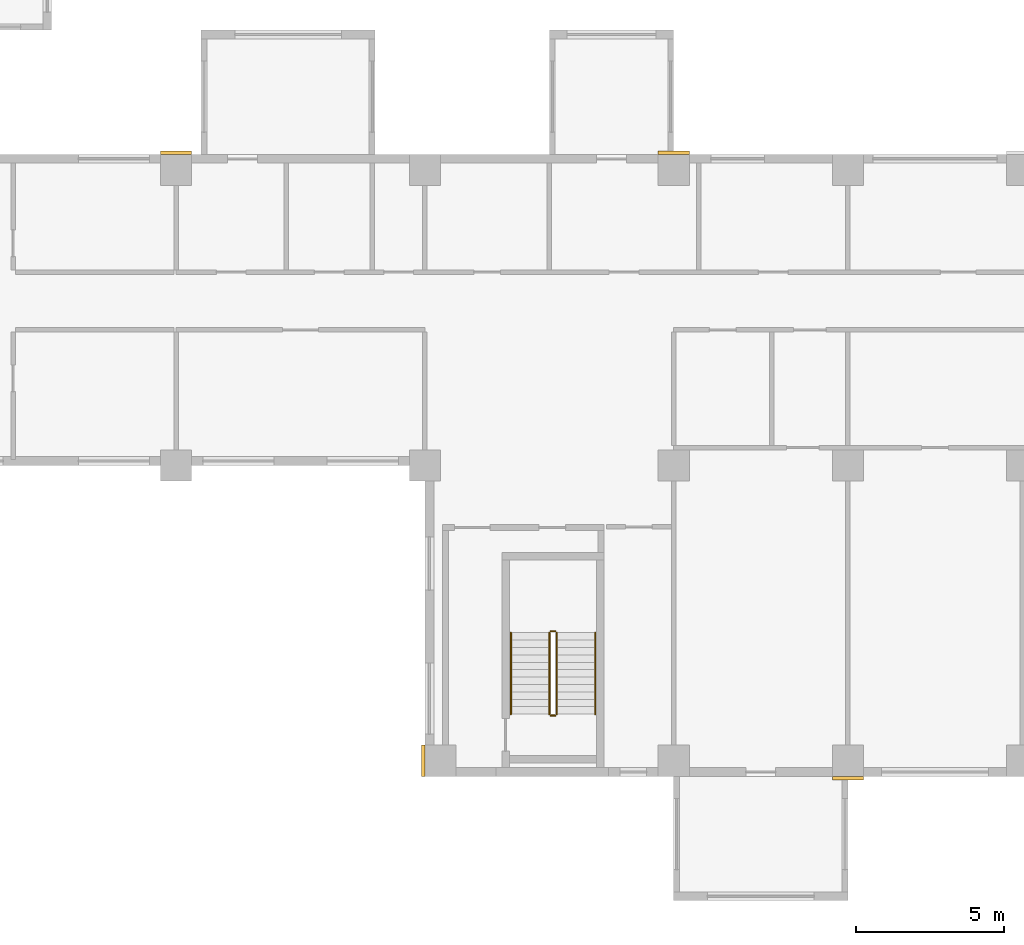
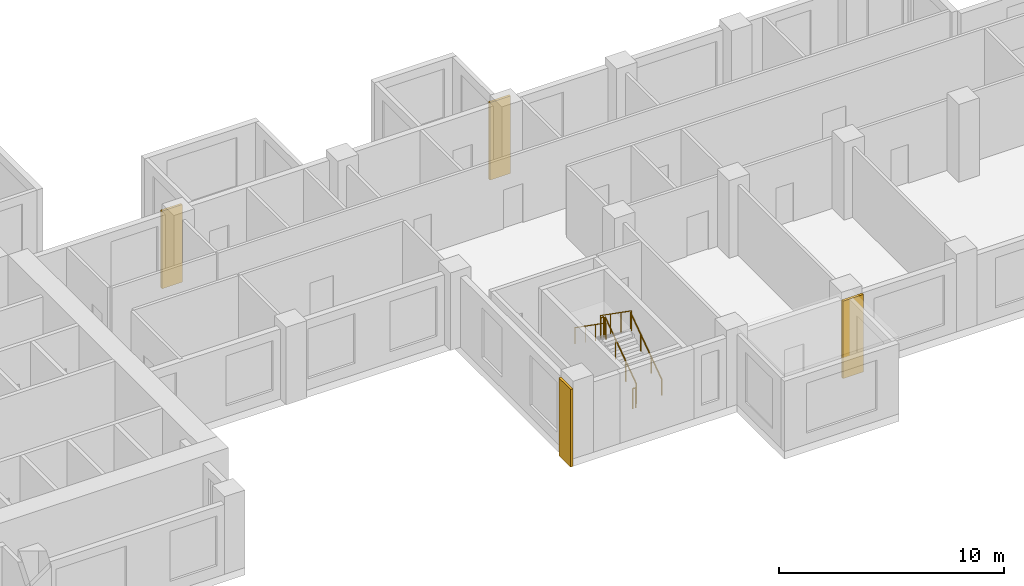
# One storey, part 11 of 14: 6 railings, 4 coverings.
"""IFC4 building model written with IfcOpenShell, lengths in metres."""

from ifc_helpers import new_model, si_unit, direction, frame, origin, origin_2d, place, context, subcontext, project, spatial, rectangle, circle, extrude, source, transform, mapped, material, type_object, element, save


model = new_model("IFC4")

# Units and contexts
model_context = context("Model", 3, precision=1e-05, world=origin(), true_north=direction((0.0, 1.0)))
body_context = subcontext(model_context, "Body", "Model", "MODEL_VIEW")
ifc_project = project(units=[si_unit("LENGTHUNIT", "METRE"), si_unit("AREAUNIT", "SQUARE_METRE"), si_unit("VOLUMEUNIT", "CUBIC_METRE"), si_unit("PLANEANGLEUNIT", "RADIAN"), si_unit("MASSUNIT", "GRAM", prefix="KILO")], contexts=[model_context])

# Site, building, storey
site_placement = place(None, origin())
site = spatial("IfcSite", under=ifc_project, at=site_placement, CompositionType="ELEMENT")
building_placement = place(site_placement, origin())
building = spatial("IfcBuilding", under=site, at=building_placement, Name="Aurelian Terraces", CompositionType="ELEMENT")
storey_placement = place(building_placement, frame((0.0, 0.0, 149.7)))
storey = spatial("IfcBuildingStorey", under=building, at=storey_placement, Name="L33", CompositionType="ELEMENT", Elevation=149.7)

# Coverings
ifc_material_1 = material(Name="Terracotta rainscreen cladding relief", Category="masonry")
covering_type = type_object("IfcCoveringType", Name="BAGUETTE-TC", PredefinedType="CLADDING", material=ifc_material_1)
shared_shape_1 = source(origin(), body_context, "Body", "SweptSolid", [
    extrude(rectangle(XDim=1.05, YDim=0.12, at=origin_2d()), origin(), (0.0, 0.0, 1.0), 4.2),
])
for number, where, z_axis, x_axis, name in (
    (1, (52.08, -0.06, -0.4), (0.0, 0.0, 1.0), (1.0, 0.0, 0.0), "BAGUETTE pier L33 3"),
    (2, (29.4, 21.06, -0.4), (0.0, 0.0, 1.0), (1.0, 0.0, 0.0), "BAGUETTE pier L33 5"),
    (3, (46.2, 21.06, -0.4), (0.0, 0.0, 1.0), (1.0, 0.0, 0.0), "BAGUETTE pier L33 6"),
):
    element("IfcCovering", number, at=place(storey_placement, frame(where, z_axis=z_axis, x_axis=x_axis)), inside=storey, type_object=covering_type, Name=name, PredefinedType="CLADDING", context=body_context, shape_type="MappedRepresentation", body=[
        mapped(shared_shape_1, transform((0.0, 0.0, 0.0), scale=1.0)),
    ])
shared_shape_2 = source(origin(), body_context, "Body", "SweptSolid", [
    extrude(rectangle(XDim=0.12, YDim=1.05, at=origin_2d()), origin(), (0.0, 0.0, 1.0), 4.2),
])
covering_placement = place(storey_placement, frame((37.74, 0.525, -0.4), z_axis=(0.0, 0.0, 1.0), x_axis=(1.0, 0.0, 0.0)))
element("IfcCovering", 4, at=covering_placement, inside=storey, type_object=covering_type, Name="BAGUETTE pier L33 2", PredefinedType="CLADDING", context=body_context, shape_type="MappedRepresentation", body=[
    mapped(shared_shape_2, transform((0.0, 0.0, 0.0), scale=1.0)),
])

# Railings
ifc_material_2 = material(Name="Stainless steel", Category="steel")
railing_type_1 = type_object("IfcRailingType", Name="Stair guard 1100", PredefinedType="GUARDRAIL", material=ifc_material_2)
shared_shape_3 = source(origin(), body_context, "Body", "SweptSolid", [
    extrude(circle(Radius=0.024, at=origin_2d()), frame((0.0, 0.0, 1.076), z_axis=(-1.0, 0.0, 0.0), x_axis=(0.0, -1.0, 0.0)), (0.0, 0.0, 1.0), 0.15),
    extrude(circle(Radius=0.021, at=origin_2d()), origin(), (0.0, 0.0, 1.0), 1.052),
    extrude(circle(Radius=0.021, at=origin_2d()), frame((-0.15, 0.0, 0.0)), (0.0, 0.0, 1.0), 1.052),
])
for number, where, name in (
    (5, (42.2, 4.9, 2.1), "L33 S2 stair guard 2"),
    (6, (42.2, 2.05, 0.0), "L33 S2 stair guard 4"),
):
    element("IfcRailing", number, at=place(storey_placement, frame(where)), inside=storey, type_object=railing_type_1, Name=name, PredefinedType="GUARDRAIL", context=body_context, shape_type="MappedRepresentation", body=[
        mapped(shared_shape_3, transform((0.0, 0.0, 0.0), scale=1.0)),
    ])
shared_shape_4 = source(origin(), body_context, "Body", "SweptSolid", [
    extrude(circle(Radius=0.024, at=origin_2d()), frame((0.0, 0.0, 1.076), z_axis=(0.0, 0.819231920519, 0.573462344363), x_axis=(-1.0, 0.0, 0.0)), (0.0, 0.0, 1.0), 3.3568),
    extrude(circle(Radius=0.021, at=origin_2d()), origin(), (0.0, 0.0, 1.0), 1.052),
    extrude(circle(Radius=0.021, at=origin_2d()), frame((0.0, 0.9167, 0.6417)), (0.0, 0.0, 1.0), 1.052),
    extrude(circle(Radius=0.021, at=origin_2d()), frame((0.0, 1.8333, 1.2833)), (0.0, 0.0, 1.0), 1.052),
    extrude(circle(Radius=0.021, at=origin_2d()), frame((0.0, 2.75, 1.925)), (0.0, 0.0, 1.0), 1.052),
])
railing_1_placement = place(storey_placement, frame((42.25, 2.1, 0.175)))
element("IfcRailing", 7, at=railing_1_placement, inside=storey, type_object=railing_type_1, Name="L33 S2 stair guard 1", PredefinedType="GUARDRAIL", context=body_context, shape_type="MappedRepresentation", body=[
    mapped(shared_shape_4, transform((0.0, 0.0, 0.0), scale=1.0)),
])
shared_shape_5 = source(origin(), body_context, "Body", "SweptSolid", [
    extrude(circle(Radius=0.024, at=origin_2d()), frame((0.0, 0.0, 1.076), z_axis=(0.0, -0.819231920519, 0.573462344363), x_axis=(1.0, 0.0, 0.0)), (0.0, 0.0, 1.0), 3.3568),
    extrude(circle(Radius=0.021, at=origin_2d()), origin(), (0.0, 0.0, 1.0), 1.052),
    extrude(circle(Radius=0.021, at=origin_2d()), frame((0.0, -0.9167, 0.6417)), (0.0, 0.0, 1.0), 1.052),
    extrude(circle(Radius=0.021, at=origin_2d()), frame((0.0, -1.8333, 1.2833)), (0.0, 0.0, 1.0), 1.052),
    extrude(circle(Radius=0.021, at=origin_2d()), frame((0.0, -2.75, 1.925)), (0.0, 0.0, 1.0), 1.052),
])
railing_2_placement = place(storey_placement, frame((42.0, 4.85, 2.275)))
element("IfcRailing", 8, at=railing_2_placement, inside=storey, type_object=railing_type_1, Name="L33 S2 stair guard 3", PredefinedType="GUARDRAIL", context=body_context, shape_type="MappedRepresentation", body=[
    mapped(shared_shape_5, transform((0.0, 0.0, 0.0), scale=1.0)),
])
railing_type_2 = type_object("IfcRailingType", Name="Stair handrail", PredefinedType="HANDRAIL", material=ifc_material_2)
shared_shape_6 = source(origin(), body_context, "Body", "SweptSolid", [
    extrude(circle(Radius=0.024, at=origin_2d()), frame((0.0, 0.0, 0.876), z_axis=(0.0, 0.819231920519, 0.573462344363), x_axis=(-1.0, 0.0, 0.0)), (0.0, 0.0, 1.0), 3.3568),
    extrude(circle(Radius=0.021, at=origin_2d()), origin(), (0.0, 0.0, 1.0), 0.852),
    extrude(circle(Radius=0.021, at=origin_2d()), frame((0.0, 0.9167, 0.6417)), (0.0, 0.0, 1.0), 0.852),
    extrude(circle(Radius=0.021, at=origin_2d()), frame((0.0, 1.8333, 1.2833)), (0.0, 0.0, 1.0), 0.852),
    extrude(circle(Radius=0.021, at=origin_2d()), frame((0.0, 2.75, 1.925)), (0.0, 0.0, 1.0), 0.852),
])
railing_3_placement = place(storey_placement, frame((43.55, 2.1, 0.175)))
element("IfcRailing", 9, at=railing_3_placement, inside=storey, type_object=railing_type_2, Name="L33 S2 stair handrail 1", PredefinedType="HANDRAIL", context=body_context, shape_type="MappedRepresentation", body=[
    mapped(shared_shape_6, transform((0.0, 0.0, 0.0), scale=1.0)),
])
shared_shape_7 = source(origin(), body_context, "Body", "SweptSolid", [
    extrude(circle(Radius=0.024, at=origin_2d()), frame((0.0, 0.0, 0.876), z_axis=(0.0, -0.819231920519, 0.573462344363), x_axis=(1.0, 0.0, 0.0)), (0.0, 0.0, 1.0), 3.3568),
    extrude(circle(Radius=0.021, at=origin_2d()), origin(), (0.0, 0.0, 1.0), 0.852),
    extrude(circle(Radius=0.021, at=origin_2d()), frame((0.0, -0.9167, 0.6417)), (0.0, 0.0, 1.0), 0.852),
    extrude(circle(Radius=0.021, at=origin_2d()), frame((0.0, -1.8333, 1.2833)), (0.0, 0.0, 1.0), 0.852),
    extrude(circle(Radius=0.021, at=origin_2d()), frame((0.0, -2.75, 1.925)), (0.0, 0.0, 1.0), 0.852),
])
railing_4_placement = place(storey_placement, frame((40.7, 4.85, 2.275)))
element("IfcRailing", 10, at=railing_4_placement, inside=storey, type_object=railing_type_2, Name="L33 S2 stair handrail 2", PredefinedType="HANDRAIL", context=body_context, shape_type="MappedRepresentation", body=[
    mapped(shared_shape_7, transform((0.0, 0.0, 0.0), scale=1.0)),
])

save(model, "model.ifc")
